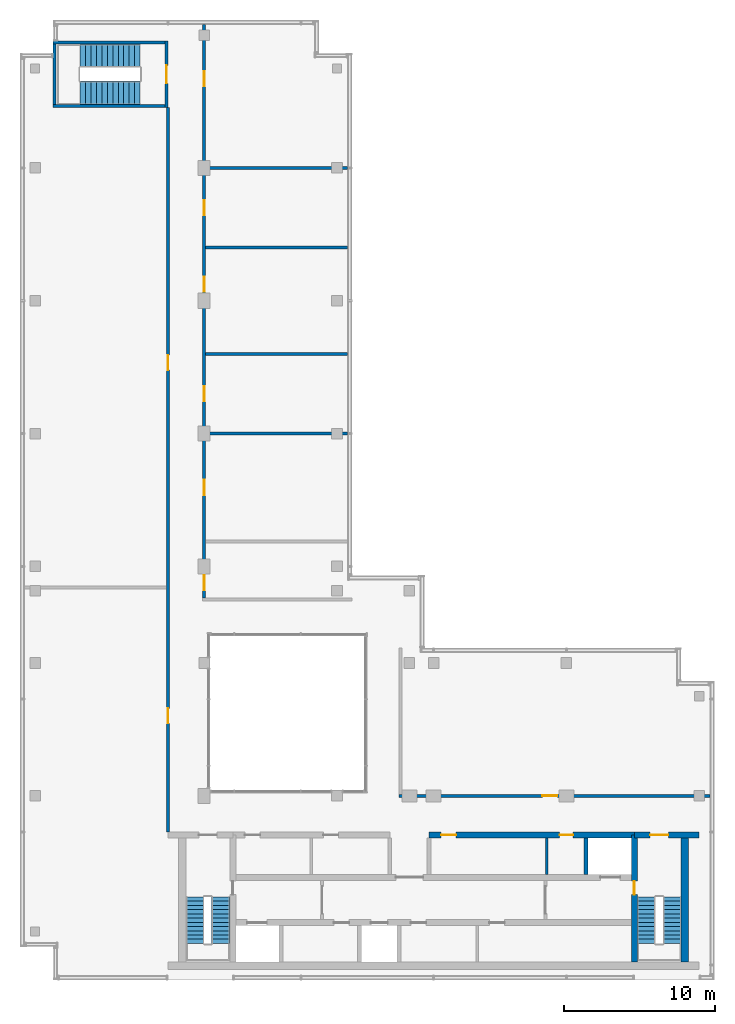
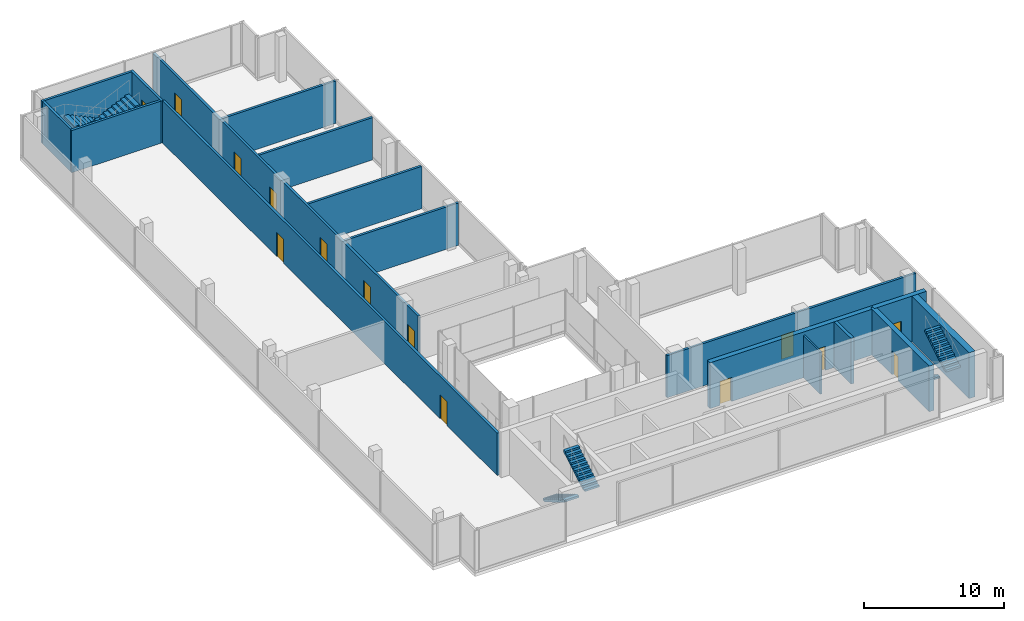
# One storey, part 9 of 10: 17 walls, 14 doors, 6 stair flights, 14 openings, 3 elements without a shape of their own.
"""IFC4 building model written with IfcOpenShell, lengths in metres."""

from ifc_helpers import new_model, si_unit, direction, frame, frame_2d, origin, place, context, subcontext, project, spatial, polyline, rectangle, outline, extrude, material, layer, layer_set, type_object, element, fill, aggregate, save


model = new_model("IFC4")

# Units and contexts
model_context = context("Model", 3, precision=1e-05, world=origin(), true_north=direction((0.0, 1.0)))
body_context = subcontext(model_context, "Body", "Model", "MODEL_VIEW")
ifc_project = project(units=[si_unit("LENGTHUNIT", "METRE"), si_unit("AREAUNIT", "SQUARE_METRE"), si_unit("VOLUMEUNIT", "CUBIC_METRE"), si_unit("PLANEANGLEUNIT", "RADIAN"), si_unit("MASSUNIT", "GRAM", prefix="KILO")], contexts=[model_context])

# Site, building, storey
site_placement = place(None, origin())
site = spatial("IfcSite", under=ifc_project, at=site_placement, CompositionType="ELEMENT")
building_placement = place(site_placement, origin())
building = spatial("IfcBuilding", under=site, at=building_placement, Name="Kemantara Hotel Tower", CompositionType="ELEMENT")
storey_placement = place(building_placement, frame((0.0, 0.0, 314.199951171875)))
storey = spatial("IfcBuildingStorey", under=building, at=storey_placement, Name="L79", CompositionType="ELEMENT", Elevation=314.199951171875)

# Wall
ifc_material_1 = material(Name="Concrete fc 50 MPa", Category="concrete")
ifc_layer_1 = layer(ifc_material_1, 0.25)
ifc_layer_set_1 = layer_set([ifc_layer_1], Name="Concrete fc 50 MPa")
wall_type_1 = type_object("IfcWallType", Name="CORE WALL 250 FC50", PredefinedType="SHEAR", material=ifc_layer_set_1)
wall_1_placement = place(storey_placement, frame((37.5, 7.0, 0.0), z_axis=(0.0, 0.0, 1.0), x_axis=(0.0, 1.0, 0.0)))
element("IfcWall", 1, at=wall_1_placement, inside=storey, type_object=wall_type_1, Name="CORE WALL CW-DN37.5", PredefinedType="SHEAR", context=body_context, shape_type="SweptSolid", body=[
    extrude(rectangle(XDim=2.39990234375, YDim=0.25, at=frame_2d((1.199951171875, 0.0))), origin(), (0.0, 0.0, 1.0), 4.0),
])

# Wall, opening, door
ifc_layer_2 = layer(ifc_material_1, 0.39990234375)
ifc_layer_set_2 = layer_set([ifc_layer_2], Name="Concrete fc 50 MPa")
wall_type_2 = type_object("IfcWallType", Name="CORE WALL 400 FC50", PredefinedType="SHEAR", material=ifc_layer_set_2)
wall_2_placement = place(storey_placement, frame((40.699951171875, 9.60009765625, 0.0), z_axis=(0.0, 0.0, 1.0), x_axis=(1.0, 0.0, 0.0)))
wall_2 = element("IfcWall", 2, at=wall_2_placement, inside=storey, type_object=wall_type_2, Name="CORE WALL CW-N2", PredefinedType="SHEAR", context=body_context, shape_type="SweptSolid", body=[
    extrude(rectangle(XDim=4.300048828125, YDim=0.39990234375, at=frame_2d((2.14990234375, 0.0))), origin(), (0.0, 0.0, 1.0), 4.0),
])
opening_1_placement = place(wall_2_placement, frame((1.050048828125, 0.0, 0.0)))
opening_1 = element("IfcOpeningElement", 3, at=opening_1_placement, cuts=wall_2, Name="Opening C45-ST2-C", PredefinedType="OPENING", context=body_context, shape_type="SweptSolid", body=[
    extrude(rectangle(XDim=1.199951171875, YDim=2.10009765625, at=frame_2d((0.60009765625, 1.050048828125))), frame((0.0, 0.2099609375, 0.0), z_axis=(0.0, -1.0, 0.0), x_axis=(1.0, 0.0, 0.0)), (0.0, 0.0, 1.0), 0.419921875),
])
ifc_material_2 = material(Name="Steel fire door", Category="steel")
door_type_1 = type_object("IfcDoorType", Name="Fire door FD90 1200 x 2100", OperationType="NOTDEFINED", PredefinedType="DOOR", material=ifc_material_2)
door_1_placement = place(opening_1_placement, frame((1.199951171875, 0.0, 0.0), z_axis=(0.0, 0.0, 1.0), x_axis=(-1.0, 0.0, 0.0)))
door_1 = element("IfcDoor", 4, at=door_1_placement, inside=storey, type_object=door_type_1, Name="Stair ST2 door to corridor", OperationType="SINGLE_SWING_RIGHT", OverallHeight=2.10009765625, OverallWidth=1.199951171875, PredefinedType="DOOR", context=body_context, shape_type="SweptSolid", body=[
    extrude(rectangle(XDim=1.199951171875, YDim=2.10009765625, at=frame_2d((0.60009765625, 1.050048828125))), frame((0.0, 0.02490234375, 0.0), z_axis=(0.0, -1.0, 0.0), x_axis=(1.0, 0.0, 0.0)), (0.0, 0.0, 1.0), 0.050048828125),
])
fill(opening_1, door_1)

# Wall, openings, doors
wall_3_placement = place(storey_placement, frame((27.10009765625, 9.60009765625, 0.0), z_axis=(0.0, 0.0, 1.0), x_axis=(1.0, 0.0, 0.0)))
wall_3 = element("IfcWall", 5, at=wall_3_placement, inside=storey, type_object=wall_type_2, Name="CORE WALL CW-NN2", PredefinedType="SHEAR", context=body_context, shape_type="SweptSolid", body=[
    extrude(rectangle(XDim=13.599853515625, YDim=0.39990234375, at=frame_2d((6.7998046875, 0.0))), origin(), (0.0, 0.0, 1.0), 4.0),
])
opening_2_placement = place(wall_3_placement, frame((0.800048828125, 0.0, 0.0)))
opening_2 = element("IfcOpeningElement", 6, at=opening_2_placement, cuts=wall_3, Name="Opening C45-R-NE1", PredefinedType="OPENING", context=body_context, shape_type="SweptSolid", body=[
    extrude(rectangle(XDim=1.0, YDim=2.10009765625, at=frame_2d((0.5, 1.050048828125))), frame((0.0, 0.2099609375, 0.0), z_axis=(0.0, -1.0, 0.0), x_axis=(1.0, 0.0, 0.0)), (0.0, 0.0, 1.0), 0.419921875),
])
opening_3_placement = place(wall_3_placement, frame((8.64990234375, 0.0, 0.0)))
opening_3 = element("IfcOpeningElement", 7, at=opening_3_placement, cuts=wall_3, Name="Opening C45-R-NE2", PredefinedType="OPENING", context=body_context, shape_type="SweptSolid", body=[
    extrude(rectangle(XDim=0.89990234375, YDim=2.10009765625, at=frame_2d((0.449951171875, 1.050048828125))), frame((0.0, 0.2099609375, 0.0), z_axis=(0.0, -1.0, 0.0), x_axis=(1.0, 0.0, 0.0)), (0.0, 0.0, 1.0), 0.419921875),
])
door_type_2 = type_object("IfcDoorType", Name="Fire door FD60 1000 x 2100", OperationType="NOTDEFINED", PredefinedType="DOOR", material=ifc_material_2)
door_2_placement = place(opening_2_placement, frame((1.0, 0.0, 0.0), z_axis=(0.0, 0.0, 1.0), x_axis=(-1.0, 0.0, 0.0)))
door_2 = element("IfcDoor", 8, at=door_2_placement, inside=storey, type_object=door_type_2, Name="Pump And Tank Room door", OperationType="SINGLE_SWING_RIGHT", OverallHeight=2.10009765625, OverallWidth=1.0, PredefinedType="DOOR", context=body_context, shape_type="SweptSolid", body=[
    extrude(rectangle(XDim=1.0, YDim=2.10009765625, at=frame_2d((0.5, 1.050048828125))), frame((0.0, 0.02490234375, 0.0), z_axis=(0.0, -1.0, 0.0), x_axis=(1.0, 0.0, 0.0)), (0.0, 0.0, 1.0), 0.050048828125),
])
fill(opening_2, door_2)
door_type_3 = type_object("IfcDoorType", Name="Fire door FD60 900 x 2100", OperationType="NOTDEFINED", PredefinedType="DOOR", material=ifc_material_2)
door_3_placement = place(opening_3_placement, frame((0.89990234375, 0.0, 0.0), z_axis=(0.0, 0.0, 1.0), x_axis=(-1.0, 0.0, 0.0)))
door_3 = element("IfcDoor", 9, at=door_3_placement, inside=storey, type_object=door_type_3, Name="Plumbing Riser Room door", OperationType="SINGLE_SWING_LEFT", OverallHeight=2.10009765625, OverallWidth=0.89990234375, PredefinedType="DOOR", context=body_context, shape_type="SweptSolid", body=[
    extrude(rectangle(XDim=0.89990234375, YDim=2.10009765625, at=frame_2d((0.449951171875, 1.050048828125))), frame((0.0, 0.02490234375, 0.0), z_axis=(0.0, -1.0, 0.0), x_axis=(1.0, 0.0, 0.0)), (0.0, 0.0, 1.0), 0.050048828125),
])
fill(opening_3, door_3)

# Wall, opening, door
wall_4_placement = place(storey_placement, frame((40.699951171875, 1.199951171875, 0.0), z_axis=(0.0, 0.0, 1.0), x_axis=(0.0, 1.0, 0.0)))
wall_4 = element("IfcWall", 10, at=wall_4_placement, inside=storey, type_object=wall_type_2, Name="CORE WALL CW-ST2W", PredefinedType="SHEAR", context=body_context, shape_type="SweptSolid", body=[
    extrude(rectangle(XDim=8.400146484375, YDim=0.39990234375, at=frame_2d((4.2001953125, 0.0))), origin(), (0.0, 0.0, 1.0), 4.0),
])
opening_4_placement = place(wall_4_placement, frame((4.449951171875, 0.0, 0.0)))
opening_4 = element("IfcOpeningElement", 11, at=opening_4_placement, cuts=wall_4, Name="Opening C45-ST2-F", PredefinedType="OPENING", context=body_context, shape_type="SweptSolid", body=[
    extrude(rectangle(XDim=0.89990234375, YDim=2.10009765625, at=frame_2d((0.449951171875, 1.050048828125))), frame((0.0, 0.2099609375, 0.0), z_axis=(0.0, -1.0, 0.0), x_axis=(1.0, 0.0, 0.0)), (0.0, 0.0, 1.0), 0.419921875),
])
door_type_4 = type_object("IfcDoorType", Name="Fire door FD90 900 x 2100", OperationType="NOTDEFINED", PredefinedType="DOOR", material=ifc_material_2)
door_4_placement = place(opening_4_placement, frame((0.89990234375, 0.0, 0.0), z_axis=(0.0, 0.0, 1.0), x_axis=(-1.0, 0.0, 0.0)))
door_4 = element("IfcDoor", 12, at=door_4_placement, inside=storey, type_object=door_type_4, Name="Stair ST2 door to firefighting lobby", OperationType="SINGLE_SWING_LEFT", OverallHeight=2.10009765625, OverallWidth=0.89990234375, PredefinedType="DOOR", context=body_context, shape_type="SweptSolid", body=[
    extrude(rectangle(XDim=0.89990234375, YDim=2.10009765625, at=frame_2d((0.449951171875, 1.050048828125))), frame((0.0, 0.02490234375, 0.0), z_axis=(0.0, -1.0, 0.0), x_axis=(1.0, 0.0, 0.0)), (0.0, 0.0, 1.0), 0.050048828125),
])
fill(opening_4, door_4)

# Wall
ifc_layer_3 = layer(ifc_material_1, 0.5)
ifc_layer_set_3 = layer_set([ifc_layer_3], Name="Concrete fc 50 MPa")
wall_type_3 = type_object("IfcWallType", Name="CORE WALL 500 FC50", PredefinedType="SHEAR", material=ifc_layer_set_3)
wall_5_placement = place(storey_placement, frame((44.050048828125, 1.199951171875, 0.0), z_axis=(0.0, 0.0, 1.0), x_axis=(0.0, 1.0, 0.0)))
element("IfcWall", 13, at=wall_5_placement, inside=storey, type_object=wall_type_3, Name="CORE WALL CW-E", PredefinedType="SHEAR", context=body_context, shape_type="SweptSolid", body=[
    extrude(rectangle(XDim=8.60009765625, YDim=0.5, at=frame_2d((4.300048828125, 0.0))), origin(), (0.0, 0.0, 1.0), 4.0),
])

# Wall, opening, door
ifc_material_3 = material(Name="Concrete fc 40 MPa", Category="concrete")
ifc_layer_4 = layer(ifc_material_3, 0.199951171875)
ifc_layer_set_4 = layer_set([ifc_layer_4], Name="Concrete fc 40 MPa")
wall_type_4 = type_object("IfcWallType", Name="Concrete stair wall 200 mm", PredefinedType="SHEAR", material=ifc_layer_set_4)
wall_6_placement = place(storey_placement, frame((9.699951171875, 57.800048828125, 0.0), z_axis=(0.0, 0.0, 1.0), x_axis=(0.0, 1.0, 0.0)))
wall_6 = element("IfcWall", 14, at=wall_6_placement, inside=storey, type_object=wall_type_4, Name="Stair ST4 enclosure wall with door", PredefinedType="SHEAR", context=body_context, shape_type="SweptSolid", body=[
    extrude(rectangle(XDim=4.39990234375, YDim=0.199951171875, at=frame_2d((2.199951171875, 0.0))), origin(), (0.0, 0.0, 1.0), 3.699951171875),
])
opening_5_placement = place(wall_6_placement, frame((1.60009765625, 0.0, 0.0)))
opening_5 = element("IfcOpeningElement", 15, at=opening_5_placement, cuts=wall_6, Name="Opening ST4-C", PredefinedType="OPENING", context=body_context, shape_type="SweptSolid", body=[
    extrude(rectangle(XDim=1.199951171875, YDim=2.10009765625, at=frame_2d((0.60009765625, 1.050048828125))), frame((0.0, 0.10986328125, 0.0), z_axis=(0.0, -1.0, 0.0), x_axis=(1.0, 0.0, 0.0)), (0.0, 0.0, 1.0), 0.219970703125),
])
door_5_placement = place(opening_5_placement, origin())
door_5 = element("IfcDoor", 16, at=door_5_placement, inside=storey, type_object=door_type_1, Name="Stair ST4 door", OperationType="SINGLE_SWING_RIGHT", OverallHeight=2.10009765625, OverallWidth=1.199951171875, PredefinedType="DOOR", context=body_context, shape_type="SweptSolid", body=[
    extrude(rectangle(XDim=1.199951171875, YDim=2.10009765625, at=frame_2d((0.60009765625, 1.050048828125))), frame((0.0, 0.02490234375, 0.0), z_axis=(0.0, -1.0, 0.0), x_axis=(1.0, 0.0, 0.0)), (0.0, 0.0, 1.0), 0.050048828125),
])
fill(opening_5, door_5)

# Walls
for number, where, z_axis, x_axis, name in (
    (17, (2.199951171875, 62.10009765625, 0.0), (0.0, 0.0, 1.0), (1.0, 0.0, 0.0), "Stair ST4 enclosure wall N"),
    (18, (2.199951171875, 57.89990234375, 0.0), (0.0, 0.0, 1.0), (1.0, 0.0, 0.0), "Stair ST4 enclosure wall S"),
):
    element("IfcWall", number, at=place(storey_placement, frame(where, z_axis=z_axis, x_axis=x_axis)), inside=storey, type_object=wall_type_4, Name=name, PredefinedType="SHEAR", context=body_context, shape_type="SweptSolid", body=[
        extrude(rectangle(XDim=7.400146484375, YDim=0.199951171875, at=frame_2d((3.7001953125, 0.0))), origin(), (0.0, 0.0, 1.0), 3.699951171875),
    ])
wall_7_placement = place(storey_placement, frame((2.300048828125, 58.0, 0.0), z_axis=(0.0, 0.0, 1.0), x_axis=(0.0, 1.0, 0.0)))
element("IfcWall", 19, at=wall_7_placement, inside=storey, type_object=wall_type_4, Name="Stair ST4 enclosure wall W", PredefinedType="SHEAR", context=body_context, shape_type="SweptSolid", body=[
    extrude(rectangle(XDim=4.0, YDim=0.199951171875, at=frame_2d((2.0, 0.0))), origin(), (0.0, 0.0, 1.0), 3.699951171875),
])
ifc_material_4 = material(Name="Clay brick masonry", Category="masonry")
ifc_layer_5 = layer(ifc_material_4, 0.199951171875)
ifc_layer_set_5 = layer_set([ifc_layer_5], Name="Clay brick masonry")
wall_type_5 = type_object("IfcWallType", Name="FIRE-RATED CLAY BRICK WALL 200 EI 120", PredefinedType="PARTITIONING", material=ifc_layer_set_5)
for number, where, z_axis, x_axis, name in (
    (20, (12.300048828125, 36.199951171875, 0.0), (0.0, 0.0, 1.0), (1.0, 0.0, 0.0), "FIRE WALL"),
    (21, (12.300048828125, 41.47998046875, 0.0), (0.0, 0.0, 1.0), (1.0, 0.0, 0.0), "FIRE WALL"),
    (22, (12.300048828125, 48.52001953125, 0.0), (0.0, 0.0, 1.0), (1.0, 0.0, 0.0), "FIRE WALL"),
    (23, (12.300048828125, 53.800048828125, 0.0), (0.0, 0.0, 1.0), (1.0, 0.0, 0.0), "FIRE WALL"),
):
    element("IfcWall", number, at=place(storey_placement, frame(where, z_axis=z_axis, x_axis=x_axis)), inside=storey, type_object=wall_type_5, Name=name, PredefinedType="PARTITIONING", context=body_context, shape_type="SweptSolid", body=[
        extrude(rectangle(XDim=9.39990234375, YDim=0.199951171875, at=frame_2d((4.699951171875, 0.0))), origin(), (0.0, 0.0, 1.0), 3.699951171875),
    ])

# Wall, opening, door
ifc_material_5 = material(Name="Fire-rated gypsum board partition")
ifc_layer_6 = layer(ifc_material_5, 0.199951171875)
ifc_layer_set_6 = layer_set([ifc_layer_6], Name="Fire-rated gypsum board partition")
wall_type_6 = type_object("IfcWallType", Name="FIRE-RATED GYPSUM PARTITION 200 EI 60", PredefinedType="PARTITIONING", material=ifc_layer_set_6)
wall_8_placement = place(storey_placement, frame((25.10009765625, 12.199951171875, 0.0), z_axis=(0.0, 0.0, 1.0), x_axis=(1.0, 0.0, 0.0)))
wall_8 = element("IfcWall", 24, at=wall_8_placement, inside=storey, type_object=wall_type_6, Name="FIRE-RATED PARTITION", PredefinedType="PARTITIONING", context=body_context, shape_type="SweptSolid", body=[
    extrude(rectangle(XDim=20.599853515625, YDim=0.199951171875, at=frame_2d((10.2998046875, 0.0))), origin(), (0.0, 0.0, 1.0), 3.699951171875),
])
opening_6_placement = place(wall_8_placement, frame((9.5, 0.0, 0.0)))
opening_6 = element("IfcOpeningElement", 25, at=opening_6_placement, cuts=wall_8, Name="Opening L79-B001", PredefinedType="OPENING", context=body_context, shape_type="SweptSolid", body=[
    extrude(rectangle(XDim=1.0, YDim=2.10009765625, at=frame_2d((0.5, 1.050048828125))), frame((0.0, 0.10986328125, 0.0), z_axis=(0.0, -1.0, 0.0), x_axis=(1.0, 0.0, 0.0)), (0.0, 0.0, 1.0), 0.219970703125),
])
ifc_material_6 = material(Name="Galvanised steel door leaf", Category="steel")
door_type_5 = type_object("IfcDoorType", Name="FIRE-RATED STEEL DOOR 1000 X 2100", OperationType="SINGLE_SWING_LEFT", PredefinedType="DOOR", material=ifc_material_6)
door_6_placement = place(opening_6_placement, frame((1.0, 0.0, 0.0), z_axis=(0.0, 0.0, 1.0), x_axis=(-1.0, 0.0, 0.0)))
door_6 = element("IfcDoor", 26, at=door_6_placement, inside=storey, type_object=door_type_5, Name="FIRE-RATED STEEL DOOR", OperationType="SINGLE_SWING_RIGHT", OverallHeight=2.10009765625, OverallWidth=1.0, PredefinedType="DOOR", context=body_context, shape_type="SweptSolid", body=[
    extrude(rectangle(XDim=1.0, YDim=2.10009765625, at=frame_2d((0.5, 1.050048828125))), frame((0.0, 0.02490234375, 0.0), z_axis=(0.0, -1.0, 0.0), x_axis=(1.0, 0.0, 0.0)), (0.0, 0.0, 1.0), 0.050048828125),
])
fill(opening_6, door_6)

# Wall, openings, doors
wall_9_placement = place(storey_placement, frame((9.800048828125, 9.800048828125, 0.0), z_axis=(0.0, 0.0, 1.0), x_axis=(0.0, 1.0, 0.0)))
wall_9 = element("IfcWall", 27, at=wall_9_placement, inside=storey, type_object=wall_type_6, Name="FIRE-RATED PARTITION", PredefinedType="PARTITIONING", context=body_context, shape_type="SweptSolid", body=[
    extrude(rectangle(XDim=48.0, YDim=0.199951171875, at=frame_2d((24.0, 0.0))), origin(), (0.0, 0.0, 1.0), 3.699951171875),
])
opening_7_placement = place(wall_9_placement, frame((7.199951171875, 0.0, 0.0)))
opening_7 = element("IfcOpeningElement", 28, at=opening_7_placement, cuts=wall_9, Name="Opening L79-B008", PredefinedType="OPENING", context=body_context, shape_type="SweptSolid", body=[
    extrude(rectangle(XDim=1.0, YDim=2.10009765625, at=frame_2d((0.5, 1.050048828125))), frame((0.0, 0.10986328125, 0.0), z_axis=(0.0, -1.0, 0.0), x_axis=(1.0, 0.0, 0.0)), (0.0, 0.0, 1.0), 0.219970703125),
])
opening_8_placement = place(wall_9_placement, frame((30.60498046875, 0.0, 0.0)))
opening_8 = element("IfcOpeningElement", 29, at=opening_8_placement, cuts=wall_9, Name="Opening L79-B009", PredefinedType="OPENING", context=body_context, shape_type="SweptSolid", body=[
    extrude(rectangle(XDim=1.0, YDim=2.10009765625, at=frame_2d((0.5, 1.050048828125))), frame((0.0, 0.10986328125, 0.0), z_axis=(0.0, -1.0, 0.0), x_axis=(1.0, 0.0, 0.0)), (0.0, 0.0, 1.0), 0.219970703125),
])
door_7_placement = place(opening_7_placement, frame((1.0, 0.0, 0.0), z_axis=(0.0, 0.0, 1.0), x_axis=(-1.0, 0.0, 0.0)))
door_7 = element("IfcDoor", 30, at=door_7_placement, inside=storey, type_object=door_type_5, Name="FIRE-RATED STEEL DOOR", OperationType="SINGLE_SWING_RIGHT", OverallHeight=2.10009765625, OverallWidth=1.0, PredefinedType="DOOR", context=body_context, shape_type="SweptSolid", body=[
    extrude(rectangle(XDim=1.0, YDim=2.10009765625, at=frame_2d((0.5, 1.050048828125))), frame((0.0, 0.02490234375, 0.0), z_axis=(0.0, -1.0, 0.0), x_axis=(1.0, 0.0, 0.0)), (0.0, 0.0, 1.0), 0.050048828125),
])
fill(opening_7, door_7)
door_8_placement = place(opening_8_placement, frame((1.0, 0.0, 0.0), z_axis=(0.0, 0.0, 1.0), x_axis=(-1.0, 0.0, 0.0)))
door_8 = element("IfcDoor", 31, at=door_8_placement, inside=storey, type_object=door_type_5, Name="FIRE-RATED STEEL DOOR", OperationType="SINGLE_SWING_LEFT", OverallHeight=2.10009765625, OverallWidth=1.0, PredefinedType="DOOR", context=body_context, shape_type="SweptSolid", body=[
    extrude(rectangle(XDim=1.0, YDim=2.10009765625, at=frame_2d((0.5, 1.050048828125))), frame((0.0, 0.02490234375, 0.0), z_axis=(0.0, -1.0, 0.0), x_axis=(1.0, 0.0, 0.0)), (0.0, 0.0, 1.0), 0.050048828125),
])
fill(opening_8, door_8)

wall_10_placement = place(storey_placement, frame((12.199951171875, 25.300048828125, 0.0), z_axis=(0.0, 0.0, 1.0), x_axis=(0.0, 1.0, 0.0)))
wall_10 = element("IfcWall", 32, at=wall_10_placement, inside=storey, type_object=wall_type_6, Name="FIRE-RATED PARTITION", PredefinedType="PARTITIONING", context=body_context, shape_type="SweptSolid", body=[
    extrude(rectangle(XDim=38.0, YDim=0.199951171875, at=frame_2d((19.0, 0.0))), origin(), (0.0, 0.0, 1.0), 3.699951171875),
])
opening_9_placement = place(wall_10_placement, frame((0.52490234375, 0.0, 0.0)))
opening_9 = element("IfcOpeningElement", 33, at=opening_9_placement, cuts=wall_10, Name="Opening L79-B002", PredefinedType="OPENING", context=body_context, shape_type="SweptSolid", body=[
    extrude(rectangle(XDim=1.0, YDim=2.10009765625, at=frame_2d((0.5, 1.050048828125))), frame((0.0, 0.10986328125, 0.0), z_axis=(0.0, -1.0, 0.0), x_axis=(1.0, 0.0, 0.0)), (0.0, 0.0, 1.0), 0.219970703125),
])
opening_10_placement = place(wall_10_placement, frame((6.824951171875, 0.0, 0.0)))
opening_10 = element("IfcOpeningElement", 34, at=opening_10_placement, cuts=wall_10, Name="Opening L79-B003", PredefinedType="OPENING", context=body_context, shape_type="SweptSolid", body=[
    extrude(rectangle(XDim=1.0, YDim=2.10009765625, at=frame_2d((0.5, 1.050048828125))), frame((0.0, 0.10986328125, 0.0), z_axis=(0.0, -1.0, 0.0), x_axis=(1.0, 0.0, 0.0)), (0.0, 0.0, 1.0), 0.219970703125),
])
opening_11_placement = place(wall_10_placement, frame((13.0400390625, 0.0, 0.0)))
opening_11 = element("IfcOpeningElement", 35, at=opening_11_placement, cuts=wall_10, Name="Opening L79-B004", PredefinedType="OPENING", context=body_context, shape_type="SweptSolid", body=[
    extrude(rectangle(XDim=1.0, YDim=2.10009765625, at=frame_2d((0.5, 1.050048828125))), frame((0.0, 0.10986328125, 0.0), z_axis=(0.0, -1.0, 0.0), x_axis=(1.0, 0.0, 0.0)), (0.0, 0.0, 1.0), 0.219970703125),
])
opening_12_placement = place(wall_10_placement, frame((20.300048828125, 0.0, 0.0)))
opening_12 = element("IfcOpeningElement", 36, at=opening_12_placement, cuts=wall_10, Name="Opening L79-B005", PredefinedType="OPENING", context=body_context, shape_type="SweptSolid", body=[
    extrude(rectangle(XDim=1.0, YDim=2.10009765625, at=frame_2d((0.5, 1.050048828125))), frame((0.0, 0.10986328125, 0.0), z_axis=(0.0, -1.0, 0.0), x_axis=(1.0, 0.0, 0.0)), (0.0, 0.0, 1.0), 0.219970703125),
])
opening_13_placement = place(wall_10_placement, frame((25.360107421875, 0.0, 0.0)))
opening_13 = element("IfcOpeningElement", 37, at=opening_13_placement, cuts=wall_10, Name="Opening L79-B006", PredefinedType="OPENING", context=body_context, shape_type="SweptSolid", body=[
    extrude(rectangle(XDim=1.0, YDim=2.10009765625, at=frame_2d((0.5, 1.050048828125))), frame((0.0, 0.10986328125, 0.0), z_axis=(0.0, -1.0, 0.0), x_axis=(1.0, 0.0, 0.0)), (0.0, 0.0, 1.0), 0.219970703125),
])
opening_14_placement = place(wall_10_placement, frame((33.89990234375, 0.0, 0.0)))
opening_14 = element("IfcOpeningElement", 38, at=opening_14_placement, cuts=wall_10, Name="Opening L79-B007", PredefinedType="OPENING", context=body_context, shape_type="SweptSolid", body=[
    extrude(rectangle(XDim=1.0, YDim=2.10009765625, at=frame_2d((0.5, 1.050048828125))), frame((0.0, 0.10986328125, 0.0), z_axis=(0.0, -1.0, 0.0), x_axis=(1.0, 0.0, 0.0)), (0.0, 0.0, 1.0), 0.219970703125),
])
door_9_placement = place(opening_9_placement, origin())
door_9 = element("IfcDoor", 39, at=door_9_placement, inside=storey, type_object=door_type_5, Name="FIRE-RATED STEEL DOOR", OperationType="SINGLE_SWING_LEFT", OverallHeight=2.10009765625, OverallWidth=1.0, PredefinedType="DOOR", context=body_context, shape_type="SweptSolid", body=[
    extrude(rectangle(XDim=1.0, YDim=2.10009765625, at=frame_2d((0.5, 1.050048828125))), frame((0.0, 0.02490234375, 0.0), z_axis=(0.0, -1.0, 0.0), x_axis=(1.0, 0.0, 0.0)), (0.0, 0.0, 1.0), 0.050048828125),
])
fill(opening_9, door_9)
door_10_placement = place(opening_10_placement, origin())
door_10 = element("IfcDoor", 40, at=door_10_placement, inside=storey, type_object=door_type_5, Name="FIRE-RATED STEEL DOOR", OperationType="SINGLE_SWING_LEFT", OverallHeight=2.10009765625, OverallWidth=1.0, PredefinedType="DOOR", context=body_context, shape_type="SweptSolid", body=[
    extrude(rectangle(XDim=1.0, YDim=2.10009765625, at=frame_2d((0.5, 1.050048828125))), frame((0.0, 0.02490234375, 0.0), z_axis=(0.0, -1.0, 0.0), x_axis=(1.0, 0.0, 0.0)), (0.0, 0.0, 1.0), 0.050048828125),
])
fill(opening_10, door_10)
door_11_placement = place(opening_11_placement, origin())
door_11 = element("IfcDoor", 41, at=door_11_placement, inside=storey, type_object=door_type_5, Name="FIRE-RATED STEEL DOOR", OperationType="SINGLE_SWING_LEFT", OverallHeight=2.10009765625, OverallWidth=1.0, PredefinedType="DOOR", context=body_context, shape_type="SweptSolid", body=[
    extrude(rectangle(XDim=1.0, YDim=2.10009765625, at=frame_2d((0.5, 1.050048828125))), frame((0.0, 0.02490234375, 0.0), z_axis=(0.0, -1.0, 0.0), x_axis=(1.0, 0.0, 0.0)), (0.0, 0.0, 1.0), 0.050048828125),
])
fill(opening_11, door_11)
door_12_placement = place(opening_12_placement, origin())
door_12 = element("IfcDoor", 42, at=door_12_placement, inside=storey, type_object=door_type_5, Name="FIRE-RATED STEEL DOOR", OperationType="SINGLE_SWING_RIGHT", OverallHeight=2.10009765625, OverallWidth=1.0, PredefinedType="DOOR", context=body_context, shape_type="SweptSolid", body=[
    extrude(rectangle(XDim=1.0, YDim=2.10009765625, at=frame_2d((0.5, 1.050048828125))), frame((0.0, 0.02490234375, 0.0), z_axis=(0.0, -1.0, 0.0), x_axis=(1.0, 0.0, 0.0)), (0.0, 0.0, 1.0), 0.050048828125),
])
fill(opening_12, door_12)
door_13_placement = place(opening_13_placement, origin())
door_13 = element("IfcDoor", 43, at=door_13_placement, inside=storey, type_object=door_type_5, Name="FIRE-RATED STEEL DOOR", OperationType="SINGLE_SWING_RIGHT", OverallHeight=2.10009765625, OverallWidth=1.0, PredefinedType="DOOR", context=body_context, shape_type="SweptSolid", body=[
    extrude(rectangle(XDim=1.0, YDim=2.10009765625, at=frame_2d((0.5, 1.050048828125))), frame((0.0, 0.02490234375, 0.0), z_axis=(0.0, -1.0, 0.0), x_axis=(1.0, 0.0, 0.0)), (0.0, 0.0, 1.0), 0.050048828125),
])
fill(opening_13, door_13)
door_14_placement = place(opening_14_placement, origin())
door_14 = element("IfcDoor", 44, at=door_14_placement, inside=storey, type_object=door_type_5, Name="FIRE-RATED STEEL DOOR", OperationType="SINGLE_SWING_RIGHT", OverallHeight=2.10009765625, OverallWidth=1.0, PredefinedType="DOOR", context=body_context, shape_type="SweptSolid", body=[
    extrude(rectangle(XDim=1.0, YDim=2.10009765625, at=frame_2d((0.5, 1.050048828125))), frame((0.0, 0.02490234375, 0.0), z_axis=(0.0, -1.0, 0.0), x_axis=(1.0, 0.0, 0.0)), (0.0, 0.0, 1.0), 0.050048828125),
])
fill(opening_14, door_14)

# Wall
ifc_material_7 = material(Name="Gypsum board partition")
ifc_layer_7 = layer(ifc_material_7, 0.14990234375)
ifc_layer_set_7 = layer_set([ifc_layer_7], Name="Gypsum board partition")
wall_type_7 = type_object("IfcWallType", Name="Gypsum board partition 150 mm", PredefinedType="PARTITIONING", material=ifc_layer_set_7)
wall_11_placement = place(storey_placement, frame((34.89990234375, 7.0, 0.0), z_axis=(0.0, 0.0, 1.0), x_axis=(0.0, 1.0, 0.0)))
element("IfcWall", 45, at=wall_11_placement, inside=storey, type_object=wall_type_7, Name="Core room partition", PredefinedType="PARTITIONING", context=body_context, shape_type="SweptSolid", body=[
    extrude(rectangle(XDim=2.39990234375, YDim=0.14990234375, at=frame_2d((1.199951171875, 0.0))), origin(), (0.0, 0.0, 1.0), 3.699951171875),
])

# Stair, stair flights
stair_type_1 = type_object("IfcStairType", Name="Stair 1200 wide 24 risers of 167 x 280 mm", PredefinedType="HALF_TURN_STAIR", material=ifc_material_3)
stair_1_placement = place(storey_placement, origin())
stair_1 = element("IfcStair", 46, at=stair_1_placement, inside=storey, type_object=stair_type_1, Name="L79 Exit stair ST1", PredefinedType="HALF_TURN_STAIR")
stair_flight_type_1 = type_object("IfcStairFlightType", Name="Stair flight 1200 wide 167 x 280 mm", PredefinedType="STRAIGHT", material=ifc_material_3)
stair_flight_1_placement = place(storey_placement, frame((11.60009765625, 5.5, 0.0), z_axis=(0.0, 0.0, 1.0), x_axis=(0.0, -1.0, 0.0)))
stair_flight_1 = element("IfcStairFlight", 47, at=stair_flight_1_placement, type_object=stair_flight_type_1, Name="ST1 flight 1", NumberOfRisers=12, NumberOfTreads=11, PredefinedType="STRAIGHT", RiserHeight=0.166666667, TreadLength=0.28, context=body_context, shape_type="SweptSolid", body=[
    extrude(outline(polyline([(0.0, 0.0), (0.0, 0.166748046875), (0.280029296875, 0.166748046875), (0.280029296875, 0.333251953125), (0.56005859375, 0.333251953125), (0.56005859375, 0.5), (0.840087890625, 0.5), (0.840087890625, 0.666748046875), (1.1201171875, 0.666748046875), (1.1201171875, 0.833251953125), (1.39990234375, 0.833251953125), (1.39990234375, 1.0), (1.679931640625, 1.0), (1.679931640625, 1.166748046875), (1.9599609375, 1.166748046875), (1.9599609375, 1.333251953125), (2.239990234375, 1.333251953125), (2.239990234375, 1.5), (2.52001953125, 1.5), (2.52001953125, 1.666748046875), (2.800048828125, 1.666748046875), (2.800048828125, 1.833251953125), (3.080078125, 1.833251953125), (3.080078125, 2.0), (3.080078125, 1.658935546875), (0.29296875, 0.0), (0.0, 0.0)])), frame((0.0, 0.60009765625, 0.0), z_axis=(0.0, -1.0, 0.0), x_axis=(1.0, 0.0, 0.0)), (0.0, 0.0, 1.0), 1.199951171875),
])
stair_flight_2_placement = place(storey_placement, frame((13.300048828125, 2.419921875, 2.0), z_axis=(0.0, 0.0, 1.0), x_axis=(0.0, 1.0, 0.0)))
stair_flight_2 = element("IfcStairFlight", 48, at=stair_flight_2_placement, type_object=stair_flight_type_1, Name="ST1 flight 2", NumberOfRisers=12, NumberOfTreads=11, PredefinedType="STRAIGHT", RiserHeight=0.166666667, TreadLength=0.28, context=body_context, shape_type="SweptSolid", body=[
    extrude(outline(polyline([(0.0, 0.0), (0.0, 0.166748046875), (0.280029296875, 0.166748046875), (0.280029296875, 0.333251953125), (0.56005859375, 0.333251953125), (0.56005859375, 0.5), (0.840087890625, 0.5), (0.840087890625, 0.666748046875), (1.1201171875, 0.666748046875), (1.1201171875, 0.833251953125), (1.39990234375, 0.833251953125), (1.39990234375, 1.0), (1.679931640625, 1.0), (1.679931640625, 1.166748046875), (1.9599609375, 1.166748046875), (1.9599609375, 1.333251953125), (2.239990234375, 1.333251953125), (2.239990234375, 1.5), (2.52001953125, 1.5), (2.52001953125, 1.666748046875), (2.800048828125, 1.666748046875), (2.800048828125, 1.833251953125), (3.080078125, 1.833251953125), (3.080078125, 2.0), (3.080078125, 1.658935546875), (0.29296875, 0.0), (0.0, 0.0)])), frame((0.0, 0.60009765625, 0.0), z_axis=(0.0, -1.0, 0.0), x_axis=(1.0, 0.0, 0.0)), (0.0, 0.0, 1.0), 1.199951171875),
])
aggregate(stair_1, [stair_flight_1, stair_flight_2])

stair_2_placement = place(storey_placement, origin())
stair_2 = element("IfcStair", 49, at=stair_2_placement, inside=storey, type_object=stair_type_1, Name="L79 Exit stair ST2", PredefinedType="HALF_TURN_STAIR")
stair_flight_3_placement = place(storey_placement, frame((41.5, 5.5, 0.0), z_axis=(0.0, 0.0, 1.0), x_axis=(0.0, -1.0, 0.0)))
stair_flight_3 = element("IfcStairFlight", 50, at=stair_flight_3_placement, type_object=stair_flight_type_1, Name="ST2 flight 1", NumberOfRisers=12, NumberOfTreads=11, PredefinedType="STRAIGHT", RiserHeight=0.166666667, TreadLength=0.28, context=body_context, shape_type="SweptSolid", body=[
    extrude(outline(polyline([(0.0, 0.0), (0.0, 0.166748046875), (0.280029296875, 0.166748046875), (0.280029296875, 0.333251953125), (0.56005859375, 0.333251953125), (0.56005859375, 0.5), (0.840087890625, 0.5), (0.840087890625, 0.666748046875), (1.1201171875, 0.666748046875), (1.1201171875, 0.833251953125), (1.39990234375, 0.833251953125), (1.39990234375, 1.0), (1.679931640625, 1.0), (1.679931640625, 1.166748046875), (1.9599609375, 1.166748046875), (1.9599609375, 1.333251953125), (2.239990234375, 1.333251953125), (2.239990234375, 1.5), (2.52001953125, 1.5), (2.52001953125, 1.666748046875), (2.800048828125, 1.666748046875), (2.800048828125, 1.833251953125), (3.080078125, 1.833251953125), (3.080078125, 2.0), (3.080078125, 1.658935546875), (0.29296875, 0.0), (0.0, 0.0)])), frame((0.0, 0.60009765625, 0.0), z_axis=(0.0, -1.0, 0.0), x_axis=(1.0, 0.0, 0.0)), (0.0, 0.0, 1.0), 1.199951171875),
])
stair_flight_4_placement = place(storey_placement, frame((43.199951171875, 2.419921875, 2.0), z_axis=(0.0, 0.0, 1.0), x_axis=(0.0, 1.0, 0.0)))
stair_flight_4 = element("IfcStairFlight", 51, at=stair_flight_4_placement, type_object=stair_flight_type_1, Name="ST2 flight 2", NumberOfRisers=12, NumberOfTreads=11, PredefinedType="STRAIGHT", RiserHeight=0.166666667, TreadLength=0.28, context=body_context, shape_type="SweptSolid", body=[
    extrude(outline(polyline([(0.0, 0.0), (0.0, 0.166748046875), (0.280029296875, 0.166748046875), (0.280029296875, 0.333251953125), (0.56005859375, 0.333251953125), (0.56005859375, 0.5), (0.840087890625, 0.5), (0.840087890625, 0.666748046875), (1.1201171875, 0.666748046875), (1.1201171875, 0.833251953125), (1.39990234375, 0.833251953125), (1.39990234375, 1.0), (1.679931640625, 1.0), (1.679931640625, 1.166748046875), (1.9599609375, 1.166748046875), (1.9599609375, 1.333251953125), (2.239990234375, 1.333251953125), (2.239990234375, 1.5), (2.52001953125, 1.5), (2.52001953125, 1.666748046875), (2.800048828125, 1.666748046875), (2.800048828125, 1.833251953125), (3.080078125, 1.833251953125), (3.080078125, 2.0), (3.080078125, 1.658935546875), (0.29296875, 0.0), (0.0, 0.0)])), frame((0.0, 0.60009765625, 0.0), z_axis=(0.0, -1.0, 0.0), x_axis=(1.0, 0.0, 0.0)), (0.0, 0.0, 1.0), 1.199951171875),
])
aggregate(stair_2, [stair_flight_3, stair_flight_4])

stair_type_2 = type_object("IfcStairType", Name="Stair 1550 wide 24 risers of 167 x 360 mm", PredefinedType="HALF_TURN_STAIR", material=ifc_material_3)
stair_3_placement = place(storey_placement, origin())
stair_3 = element("IfcStair", 52, at=stair_3_placement, inside=storey, type_object=stair_type_2, Name="L79 Exit stair ST4", PredefinedType="HALF_TURN_STAIR")
stair_flight_type_2 = type_object("IfcStairFlightType", Name="Stair flight 1550 wide 167 x 360 mm", PredefinedType="STRAIGHT", material=ifc_material_3)
stair_flight_5_placement = place(storey_placement, frame((7.949951171875, 61.22509765625, 0.0), z_axis=(0.0, 0.0, 1.0), x_axis=(-1.0, 0.0, 0.0)))
stair_flight_5 = element("IfcStairFlight", 53, at=stair_flight_5_placement, type_object=stair_flight_type_2, Name="ST4 flight 1", NumberOfRisers=12, NumberOfTreads=11, PredefinedType="STRAIGHT", RiserHeight=0.166666667, TreadLength=0.36, context=body_context, shape_type="SweptSolid", body=[
    extrude(outline(polyline([(0.0, 0.0), (0.0, 0.166748046875), (0.360107421875, 0.166748046875), (0.360107421875, 0.333251953125), (0.719970703125, 0.333251953125), (0.719970703125, 0.5), (1.080078125, 0.5), (1.080078125, 0.666748046875), (1.43994140625, 0.666748046875), (1.43994140625, 0.833251953125), (1.800048828125, 0.833251953125), (1.800048828125, 1.0), (2.159912109375, 1.0), (2.159912109375, 1.166748046875), (2.52001953125, 1.166748046875), (2.52001953125, 1.333251953125), (2.8798828125, 1.333251953125), (2.8798828125, 1.5), (3.239990234375, 1.5), (3.239990234375, 1.666748046875), (3.60009765625, 1.666748046875), (3.60009765625, 1.833251953125), (3.9599609375, 1.833251953125), (3.9599609375, 2.0), (3.9599609375, 1.668212890625), (0.356689453125, 0.0), (0.0, 0.0)])), frame((0.0, 0.77490234375, 0.0), z_axis=(0.0, -1.0, 0.0), x_axis=(1.0, 0.0, 0.0)), (0.0, 0.0, 1.0), 1.550048828125),
])
stair_flight_6_placement = place(storey_placement, frame((3.989990234375, 58.77490234375, 2.0), z_axis=(0.0, 0.0, 1.0), x_axis=(1.0, 0.0, 0.0)))
stair_flight_6 = element("IfcStairFlight", 54, at=stair_flight_6_placement, type_object=stair_flight_type_2, Name="ST4 flight 2", NumberOfRisers=12, NumberOfTreads=11, PredefinedType="STRAIGHT", RiserHeight=0.166666667, TreadLength=0.36, context=body_context, shape_type="SweptSolid", body=[
    extrude(outline(polyline([(0.0, 0.0), (0.0, 0.166748046875), (0.360107421875, 0.166748046875), (0.360107421875, 0.333251953125), (0.719970703125, 0.333251953125), (0.719970703125, 0.5), (1.080078125, 0.5), (1.080078125, 0.666748046875), (1.43994140625, 0.666748046875), (1.43994140625, 0.833251953125), (1.800048828125, 0.833251953125), (1.800048828125, 1.0), (2.159912109375, 1.0), (2.159912109375, 1.166748046875), (2.52001953125, 1.166748046875), (2.52001953125, 1.333251953125), (2.8798828125, 1.333251953125), (2.8798828125, 1.5), (3.239990234375, 1.5), (3.239990234375, 1.666748046875), (3.60009765625, 1.666748046875), (3.60009765625, 1.833251953125), (3.9599609375, 1.833251953125), (3.9599609375, 2.0), (3.9599609375, 1.668212890625), (0.356689453125, 0.0), (0.0, 0.0)])), frame((0.0, 0.77490234375, 0.0), z_axis=(0.0, -1.0, 0.0), x_axis=(1.0, 0.0, 0.0)), (0.0, 0.0, 1.0), 1.550048828125),
])
aggregate(stair_3, [stair_flight_5, stair_flight_6])

save(model, "model.ifc")
